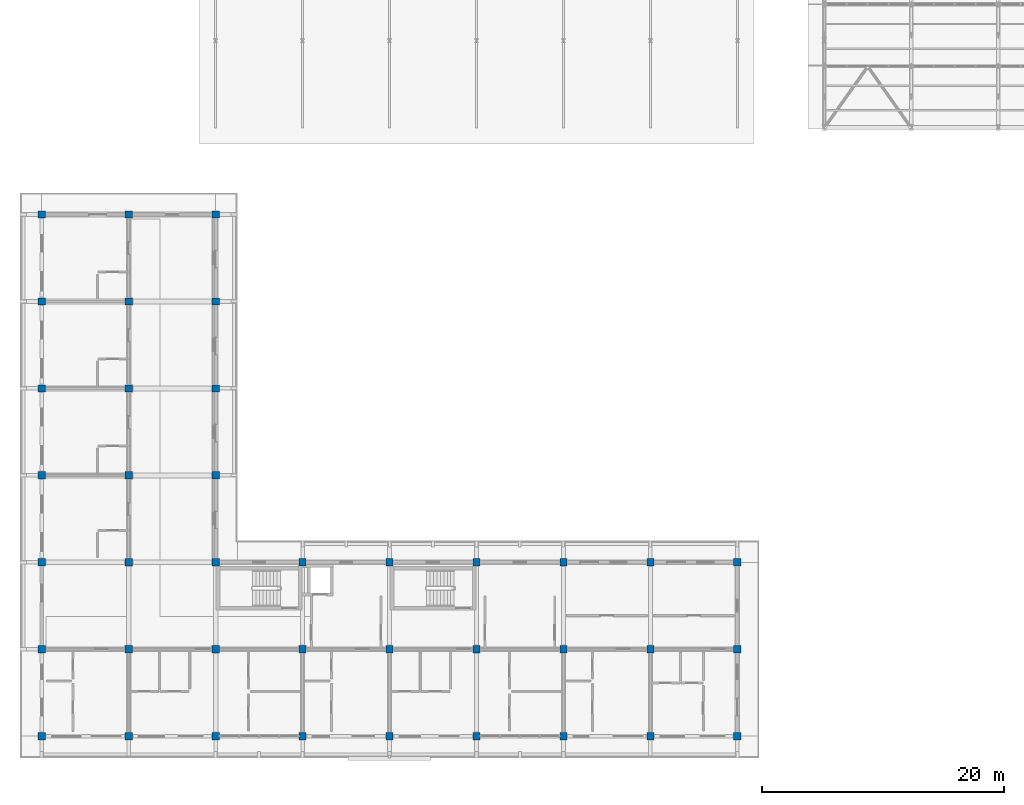
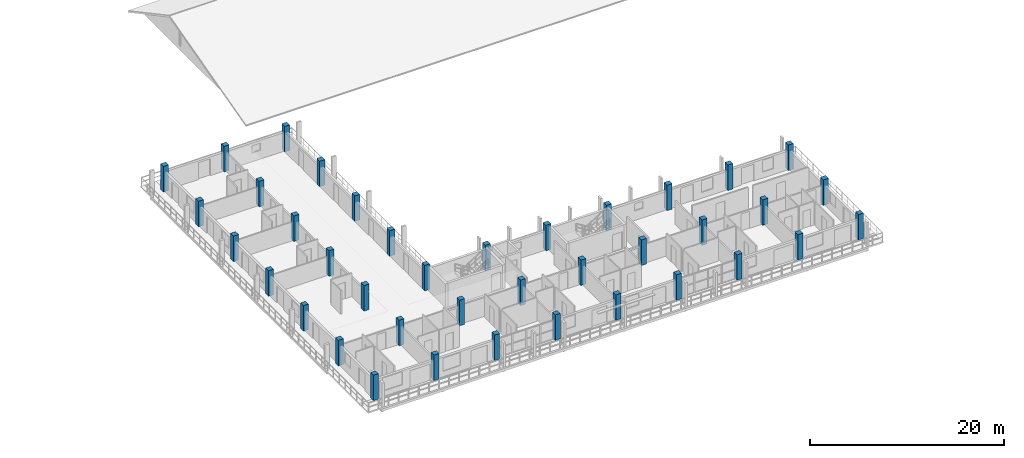
# One storey, part 1 of 157: 39 columns.
"""IFC4 building model written with IfcOpenShell, lengths in metres."""

from ifc_helpers import new_model, si_unit, direction, frame, origin, origin_2d, place, context, subcontext, project, spatial, rectangle, extrude, material, material_profile, profile_set, type_object, element, save


model = new_model("IFC4")

# Units and contexts
model_context = context("Model", 3, precision=1e-05, world=origin(), true_north=direction((0.0, 1.0)))
body_context = subcontext(model_context, "Body", "Model", "MODEL_VIEW")
ifc_project = project(units=[si_unit("LENGTHUNIT", "METRE"), si_unit("AREAUNIT", "SQUARE_METRE"), si_unit("VOLUMEUNIT", "CUBIC_METRE"), si_unit("PLANEANGLEUNIT", "RADIAN"), si_unit("MASSUNIT", "GRAM", prefix="KILO")], contexts=[model_context])

# Site, building, storey
site_placement = place(None, origin())
site = spatial("IfcSite", under=ifc_project, at=site_placement, CompositionType="ELEMENT")
building_placement = place(site_placement, origin())
building = spatial("IfcBuilding", under=site, at=building_placement, Name="Suanplinth Sawtooth Commons", CompositionType="ELEMENT")
storey_placement = place(building_placement, frame((0.0, 0.0, 9.0)))
storey = spatial("IfcBuildingStorey", under=building, at=storey_placement, Name="L02", CompositionType="ELEMENT", Elevation=9.0)

# Columns
ifc_material = material(Name="Precast concrete C40/50", Category="concrete")
ifc_material_profile = material_profile(ifc_material, rectangle(XDim=0.60009765625, YDim=0.60009765625, at=origin_2d()), Name="PC-COL 600x600")
ifc_profile_set = profile_set([ifc_material_profile], Name="Precast concrete C40/50")
column_type = type_object("IfcColumnType", Name="C-04", PredefinedType="COLUMN", material=ifc_profile_set)
for number, where, z_axis, x_axis, name in (
    (1, (0.0, 0.0, 0.0), (0.0, 0.0, 1.0), (1.0, 0.0, 0.0), "Column L02 1/A"),
    (2, (0.0, 7.199951171875, 0.0), (0.0, 0.0, 1.0), (1.0, 0.0, 0.0), "Column L02 1/B"),
    (3, (0.0, 14.39990234375, 0.0), (0.0, 0.0, 1.0), (1.0, 0.0, 0.0), "Column L02 1/C"),
    (4, (0.0, 21.60009765625, 0.0), (0.0, 0.0, 1.0), (1.0, 0.0, 0.0), "Column L02 1/D"),
    (5, (0.0, 28.800048828125, 0.0), (0.0, 0.0, 1.0), (1.0, 0.0, 0.0), "Column L02 1/E"),
    (6, (0.0, 36.0, 0.0), (0.0, 0.0, 1.0), (1.0, 0.0, 0.0), "Column L02 1/F"),
    (7, (0.0, 43.199951171875, 0.0), (0.0, 0.0, 1.0), (1.0, 0.0, 0.0), "Column L02 1/G"),
    (8, (7.199951171875, 0.0, 0.0), (0.0, 0.0, 1.0), (1.0, 0.0, 0.0), "Column L02 2/A"),
    (9, (7.199951171875, 7.199951171875, 0.0), (0.0, 0.0, 1.0), (1.0, 0.0, 0.0), "Column L02 2/B"),
    (10, (7.199951171875, 14.39990234375, 0.0), (0.0, 0.0, 1.0), (1.0, 0.0, 0.0), "Column L02 2/C"),
    (11, (7.199951171875, 21.60009765625, 0.0), (0.0, 0.0, 1.0), (1.0, 0.0, 0.0), "Column L02 2/D"),
    (12, (7.199951171875, 28.800048828125, 0.0), (0.0, 0.0, 1.0), (1.0, 0.0, 0.0), "Column L02 2/E"),
    (13, (7.199951171875, 36.0, 0.0), (0.0, 0.0, 1.0), (1.0, 0.0, 0.0), "Column L02 2/F"),
    (14, (7.199951171875, 43.199951171875, 0.0), (0.0, 0.0, 1.0), (1.0, 0.0, 0.0), "Column L02 2/G"),
    (15, (14.39990234375, 0.0, 0.0), (0.0, 0.0, 1.0), (1.0, 0.0, 0.0), "Column L02 3/A"),
    (16, (14.39990234375, 7.199951171875, 0.0), (0.0, 0.0, 1.0), (1.0, 0.0, 0.0), "Column L02 3/B"),
    (17, (14.39990234375, 14.39990234375, 0.0), (0.0, 0.0, 1.0), (1.0, 0.0, 0.0), "Column L02 3/C"),
    (18, (14.39990234375, 21.60009765625, 0.0), (0.0, 0.0, 1.0), (1.0, 0.0, 0.0), "Column L02 3/D"),
    (19, (14.39990234375, 28.800048828125, 0.0), (0.0, 0.0, 1.0), (1.0, 0.0, 0.0), "Column L02 3/E"),
    (20, (14.39990234375, 36.0, 0.0), (0.0, 0.0, 1.0), (1.0, 0.0, 0.0), "Column L02 3/F"),
    (21, (14.39990234375, 43.199951171875, 0.0), (0.0, 0.0, 1.0), (1.0, 0.0, 0.0), "Column L02 3/G"),
    (22, (21.60009765625, 0.0, 0.0), (0.0, 0.0, 1.0), (1.0, 0.0, 0.0), "Column L02 4/A"),
    (23, (21.60009765625, 7.199951171875, 0.0), (0.0, 0.0, 1.0), (1.0, 0.0, 0.0), "Column L02 4/B"),
    (24, (21.60009765625, 14.39990234375, 0.0), (0.0, 0.0, 1.0), (1.0, 0.0, 0.0), "Column L02 4/C"),
    (25, (28.800048828125, 0.0, 0.0), (0.0, 0.0, 1.0), (1.0, 0.0, 0.0), "Column L02 5/A"),
    (26, (28.800048828125, 7.199951171875, 0.0), (0.0, 0.0, 1.0), (1.0, 0.0, 0.0), "Column L02 5/B"),
    (27, (28.800048828125, 14.39990234375, 0.0), (0.0, 0.0, 1.0), (1.0, 0.0, 0.0), "Column L02 5/C"),
    (28, (36.0, 0.0, 0.0), (0.0, 0.0, 1.0), (1.0, 0.0, 0.0), "Column L02 6/A"),
    (29, (36.0, 7.199951171875, 0.0), (0.0, 0.0, 1.0), (1.0, 0.0, 0.0), "Column L02 6/B"),
    (30, (36.0, 14.39990234375, 0.0), (0.0, 0.0, 1.0), (1.0, 0.0, 0.0), "Column L02 6/C"),
    (31, (43.199951171875, 0.0, 0.0), (0.0, 0.0, 1.0), (1.0, 0.0, 0.0), "Column L02 7/A"),
    (32, (43.199951171875, 7.199951171875, 0.0), (0.0, 0.0, 1.0), (1.0, 0.0, 0.0), "Column L02 7/B"),
    (33, (43.199951171875, 14.39990234375, 0.0), (0.0, 0.0, 1.0), (1.0, 0.0, 0.0), "Column L02 7/C"),
    (34, (50.39990234375, 0.0, 0.0), (0.0, 0.0, 1.0), (1.0, 0.0, 0.0), "Column L02 8/A"),
    (35, (50.39990234375, 7.199951171875, 0.0), (0.0, 0.0, 1.0), (1.0, 0.0, 0.0), "Column L02 8/B"),
    (36, (50.39990234375, 14.39990234375, 0.0), (0.0, 0.0, 1.0), (1.0, 0.0, 0.0), "Column L02 8/C"),
    (37, (57.60009765625, 0.0, 0.0), (0.0, 0.0, 1.0), (1.0, 0.0, 0.0), "Column L02 9/A"),
    (38, (57.60009765625, 7.199951171875, 0.0), (0.0, 0.0, 1.0), (1.0, 0.0, 0.0), "Column L02 9/B"),
    (39, (57.60009765625, 14.39990234375, 0.0), (0.0, 0.0, 1.0), (1.0, 0.0, 0.0), "Column L02 9/C"),
):
    element("IfcColumn", number, at=place(storey_placement, frame(where, z_axis=z_axis, x_axis=x_axis)), inside=storey, type_object=column_type, Name=name, PredefinedType="COLUMN", context=body_context, shape_type="SweptSolid", body=[
        extrude(rectangle(XDim=0.60009765625, YDim=0.60009765625, at=origin_2d()), origin(), (0.0, 0.0, 1.0), 3.199951171875),
    ])

save(model, "model.ifc")
